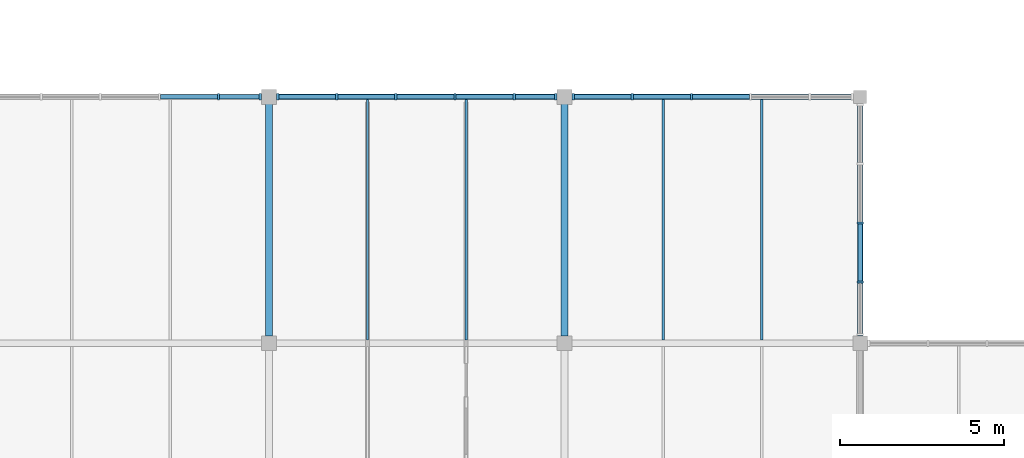
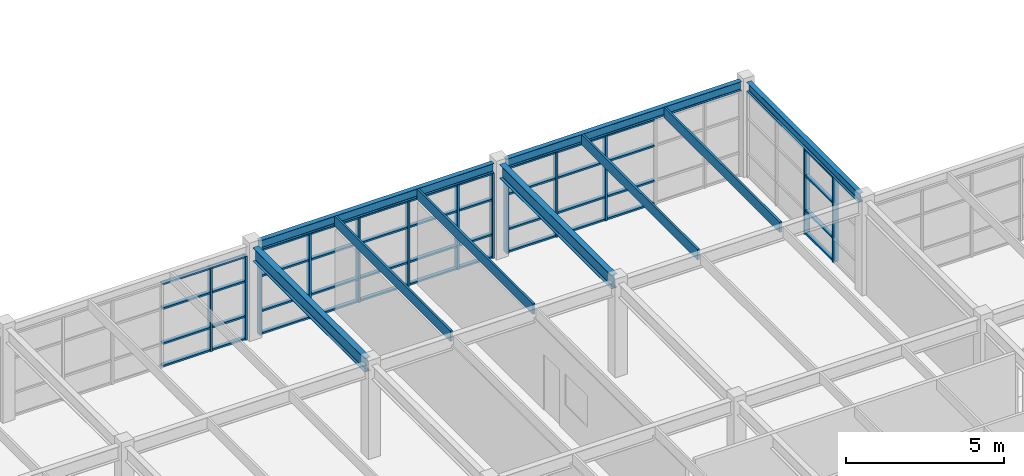
# One storey, part 12 of 81: 57 members, 9 beams, 4 elements without a shape of their own.
"""IFC4 building model written with IfcOpenShell, lengths in metres."""

from ifc_helpers import new_model, si_unit, direction, frame, origin, origin_2d, place, context, subcontext, project, spatial, rectangle, i_section, extrude, material, layer, layer_set, material_profile, profile_set, type_object, element, aggregate, save


model = new_model("IFC4")

# Units and contexts
model_context = context("Model", 3, precision=1e-05, world=origin(), true_north=direction((0.0, 1.0)))
body_context = subcontext(model_context, "Body", "Model", "MODEL_VIEW")
ifc_project = project(units=[si_unit("LENGTHUNIT", "METRE"), si_unit("AREAUNIT", "SQUARE_METRE"), si_unit("VOLUMEUNIT", "CUBIC_METRE"), si_unit("PLANEANGLEUNIT", "RADIAN"), si_unit("MASSUNIT", "GRAM", prefix="KILO")], contexts=[model_context])

# Site, building, storey
site_placement = place(None, origin())
site = spatial("IfcSite", under=ifc_project, at=site_placement, CompositionType="ELEMENT")
building_placement = place(site_placement, origin())
building = spatial("IfcBuilding", under=site, at=building_placement, Name="Marnridge Secondary College", CompositionType="ELEMENT")
storey_placement = place(building_placement, frame((0.0, 0.0, 8.5)))
storey = spatial("IfcBuildingStorey", under=building, at=storey_placement, Name="L02", CompositionType="ELEMENT", Elevation=8.5)

# Beams
ifc_material_1 = material(Name="Engineered timber LVL E13.2", Category="wood")
ifc_material_profile_1 = material_profile(ifc_material_1, rectangle(XDim=0.074951171875, YDim=0.39990234375, at=origin_2d()), Name="LVL 75x400")
ifc_profile_set_1 = profile_set([ifc_material_profile_1], Name="Engineered timber LVL E13.2")
beam_type_1 = type_object("IfcBeamType", Name="BM-LVL400-INT", PredefinedType="JOIST", material=ifc_profile_set_1)
for number, where, z_axis, x_axis, name in (
    (1, (21.0, 30.0986328125, 3.43994140625), (0.0, 1.0, 0.0), (-1.0, 0.0, 0.0), "Beam BJ-L02-1038"),
    (2, (24.0, 30.0986328125, 3.43994140625), (0.0, 1.0, 0.0), (-1.0, 0.0, 0.0), "Beam BJ-L02-1039"),
    (3, (30.0, 30.0986328125, 3.43994140625), (0.0, 1.0, 0.0), (-1.0, 0.0, 0.0), "Beam BJ-L02-1040"),
    (4, (33.0, 30.0986328125, 3.43994140625), (0.0, 1.0, 0.0), (-1.0, 0.0, 0.0), "Beam BJ-L02-1041"),
):
    element("IfcBeam", number, at=place(storey_placement, frame(where, z_axis=z_axis, x_axis=x_axis)), inside=storey, type_object=beam_type_1, Name=name, PredefinedType="JOIST", context=body_context, shape_type="SweptSolid", body=[
        extrude(rectangle(XDim=0.074951171875, YDim=0.39990234375, at=origin_2d()), origin(), (0.0, 0.0, 1.0), 7.32177734375),
    ])
ifc_material_2 = material(Name="Structural steel Grade 350 (AS/NZS 3679.1/.2, fy = 340-360 MPa)", Category="steel")
ifc_material_profile_2 = material_profile(ifc_material_2, i_section(OverallWidth=0.1708984375, OverallDepth=0.35205078125, WebThickness=0.0068359375, FlangeThickness=0.009765625, FilletRadius=0.011474609375, at=origin_2d()), Name="360UB44.7")
ifc_profile_set_2 = profile_set([ifc_material_profile_2], Name="Structural steel Grade 350 (AS/NZS 3679.1/.2, fy = 340-360 MPa)")
beam_type_2 = type_object("IfcBeamType", Name="BM-UB360-EXT", PredefinedType="SPANDREL", material=ifc_profile_set_2)
beam_1_placement = place(storey_placement, frame((18.218994140625, 37.5, 3.464111328125), z_axis=(1.0, 0.0, 0.0), x_axis=(0.0, 1.0, 0.0)))
element("IfcBeam", 5, at=beam_1_placement, inside=storey, type_object=beam_type_2, Name="Beam BS-L02-0995", PredefinedType="SPANDREL", context=body_context, shape_type="SweptSolid", body=[
    extrude(i_section(OverallWidth=0.1708984375, OverallDepth=0.35205078125, WebThickness=0.0068359375, FlangeThickness=0.009765625, FilletRadius=0.011474609375, at=origin_2d()), origin(), (0.0, 0.0, 1.0), 8.56201171875),
])
beam_2_placement = place(storey_placement, frame((27.218994140625, 37.5, 3.464111328125), z_axis=(1.0, 0.0, 0.0), x_axis=(0.0, 1.0, 0.0)))
element("IfcBeam", 6, at=beam_2_placement, inside=storey, type_object=beam_type_2, Name="Beam BS-L02-0997", PredefinedType="SPANDREL", context=body_context, shape_type="SweptSolid", body=[
    extrude(i_section(OverallWidth=0.1708984375, OverallDepth=0.35205078125, WebThickness=0.0068359375, FlangeThickness=0.009765625, FilletRadius=0.011474609375, at=origin_2d()), origin(), (0.0, 0.0, 1.0), 8.5869140625),
])
beam_3_placement = place(storey_placement, frame((36.0, 30.218994140625, 3.464111328125), z_axis=(0.0, 1.0, 0.0), x_axis=(-1.0, 0.0, 0.0)))
element("IfcBeam", 7, at=beam_3_placement, inside=storey, type_object=beam_type_2, Name="Beam BS-L02-0998", PredefinedType="SPANDREL", context=body_context, shape_type="SweptSolid", body=[
    extrude(i_section(OverallWidth=0.1708984375, OverallDepth=0.35205078125, WebThickness=0.0068359375, FlangeThickness=0.009765625, FilletRadius=0.011474609375, at=origin_2d()), origin(), (0.0, 0.0, 1.0), 7.0869140625),
])
ifc_material_3 = material(Name="Structural steel Grade 350 (AS/NZS 3679.1/.2, fy = 340-360 MPa)", Category="steel")
ifc_material_profile_3 = material_profile(ifc_material_3, i_section(OverallWidth=0.209228515625, OverallDepth=0.532958984375, WebThickness=0.01025390625, FlangeThickness=0.015625, FilletRadius=0.013916015625, at=origin_2d()), Name="530UB92.4")
ifc_profile_set_3 = profile_set([ifc_material_profile_3], Name="Structural steel Grade 350 (AS/NZS 3679.1/.2, fy = 340-360 MPa)")
beam_type_3 = type_object("IfcBeamType", Name="BM-UB530A-INT", PredefinedType="BEAM", material=ifc_profile_set_3)
for number, where, z_axis, x_axis, name in (
    (8, (18.0, 30.218994140625, 3.323486328125), (0.0, 1.0, 0.0), (-1.0, 0.0, 0.0), "Beam B-L02-0994"),
    (9, (27.0, 30.218994140625, 3.37353515625), (0.0, 1.0, 0.0), (-1.0, 0.0, 0.0), "Beam B-L02-0996"),
):
    element("IfcBeam", number, at=place(storey_placement, frame(where, z_axis=z_axis, x_axis=x_axis)), inside=storey, type_object=beam_type_3, Name=name, PredefinedType="BEAM", context=body_context, shape_type="SweptSolid", body=[
        extrude(i_section(OverallWidth=0.209228515625, OverallDepth=0.532958984375, WebThickness=0.01025390625, FlangeThickness=0.015625, FilletRadius=0.013916015625, at=origin_2d()), origin(), (0.0, 0.0, 1.0), 7.06201171875),
    ])

# Curtain wall, members
ifc_material_4 = material(Name="Bronze-anodised aluminium and solar-control glazing", Category="aluminium")
ifc_layer = layer(ifc_material_4, 0.199951171875)
ifc_layer_set = layer_set([ifc_layer], Name="CW-MOD-1800")
curtain_wall_type = type_object("IfcCurtainWallType", Name="CW-MOD-1800", PredefinedType="NOTDEFINED", material=ifc_layer_set)
curtain_wall_1_placement = place(storey_placement, origin())
curtain_wall_1 = element("IfcCurtainWall", 10, at=curtain_wall_1_placement, inside=storey, type_object=curtain_wall_type, Name="Unitised curtain wall CW-L02-101", PredefinedType="NOTDEFINED")
ifc_material_5 = material(Name="Bronze-anodised aluminium 6063-T6", Category="aluminium")
ifc_material_profile_4 = material_profile(ifc_material_5, rectangle(XDim=0.070068359375, YDim=0.199951171875, at=origin_2d()), Name="ALU 70x200")
ifc_profile_set_4 = profile_set([ifc_material_profile_4], Name="Bronze-anodised aluminium 6063-T6")
member_type_1 = type_object("IfcMemberType", Name="CWM-ALU200", PredefinedType="MULLION", material=ifc_profile_set_4)
member_1_placement = place(storey_placement, frame((16.464111328125, 37.5, 0.0), z_axis=(0.0, 0.0, 1.0), x_axis=(1.0, 0.0, 0.0)))
member_1 = element("IfcMember", 11, at=member_1_placement, type_object=member_type_1, Name="CW-L02-101 mullion 5", PredefinedType="MULLION", context=body_context, shape_type="SweptSolid", body=[
    extrude(rectangle(XDim=0.070068359375, YDim=0.199951171875, at=origin_2d()), origin(), (0.0, 0.0, 1.0), 3.22998046875),
])
member_2_placement = place(storey_placement, frame((17.736083984375, 37.5, 0.0), z_axis=(0.0, 0.0, 1.0), x_axis=(1.0, 0.0, 0.0)))
member_2 = element("IfcMember", 12, at=member_2_placement, type_object=member_type_1, Name="CW-L02-101 mullion 6", PredefinedType="MULLION", context=body_context, shape_type="SweptSolid", body=[
    extrude(rectangle(XDim=0.070068359375, YDim=0.199951171875, at=origin_2d()), origin(), (0.0, 0.0, 1.0), 3.22998046875),
])

curtain_wall_2_placement = place(storey_placement, origin())
curtain_wall_2 = element("IfcCurtainWall", 13, at=curtain_wall_2_placement, inside=storey, type_object=curtain_wall_type, Name="Unitised curtain wall CW-L02-102", PredefinedType="NOTDEFINED")
member_3_placement = place(storey_placement, frame((18.263916015625, 37.5, 0.0), z_axis=(0.0, 0.0, 1.0), x_axis=(1.0, 0.0, 0.0)))
member_3 = element("IfcMember", 14, at=member_3_placement, type_object=member_type_1, Name="CW-L02-102 mullion 1", PredefinedType="MULLION", context=body_context, shape_type="SweptSolid", body=[
    extrude(rectangle(XDim=0.070068359375, YDim=0.199951171875, at=origin_2d()), origin(), (0.0, 0.0, 1.0), 3.280029296875),
])
member_4_placement = place(storey_placement, frame((20.06396484375, 37.5, 0.0), z_axis=(0.0, 0.0, 1.0), x_axis=(1.0, 0.0, 0.0)))
member_4 = element("IfcMember", 15, at=member_4_placement, type_object=member_type_1, Name="CW-L02-102 mullion 2", PredefinedType="MULLION", context=body_context, shape_type="SweptSolid", body=[
    extrude(rectangle(XDim=0.070068359375, YDim=0.199951171875, at=origin_2d()), origin(), (0.0, 0.0, 1.0), 3.280029296875),
])
member_5_placement = place(storey_placement, frame((21.864013671875, 37.5, 0.0), z_axis=(0.0, 0.0, 1.0), x_axis=(1.0, 0.0, 0.0)))
member_5 = element("IfcMember", 16, at=member_5_placement, type_object=member_type_1, Name="CW-L02-102 mullion 3", PredefinedType="MULLION", context=body_context, shape_type="SweptSolid", body=[
    extrude(rectangle(XDim=0.070068359375, YDim=0.199951171875, at=origin_2d()), origin(), (0.0, 0.0, 1.0), 3.280029296875),
])
member_6_placement = place(storey_placement, frame((23.6640625, 37.5, 0.0), z_axis=(0.0, 0.0, 1.0), x_axis=(1.0, 0.0, 0.0)))
member_6 = element("IfcMember", 17, at=member_6_placement, type_object=member_type_1, Name="CW-L02-102 mullion 4", PredefinedType="MULLION", context=body_context, shape_type="SweptSolid", body=[
    extrude(rectangle(XDim=0.070068359375, YDim=0.199951171875, at=origin_2d()), origin(), (0.0, 0.0, 1.0), 3.280029296875),
])
member_7_placement = place(storey_placement, frame((25.464111328125, 37.5, 0.0), z_axis=(0.0, 0.0, 1.0), x_axis=(1.0, 0.0, 0.0)))
member_7 = element("IfcMember", 18, at=member_7_placement, type_object=member_type_1, Name="CW-L02-102 mullion 5", PredefinedType="MULLION", context=body_context, shape_type="SweptSolid", body=[
    extrude(rectangle(XDim=0.070068359375, YDim=0.199951171875, at=origin_2d()), origin(), (0.0, 0.0, 1.0), 3.280029296875),
])
member_8_placement = place(storey_placement, frame((26.736083984375, 37.5, 0.0), z_axis=(0.0, 0.0, 1.0), x_axis=(1.0, 0.0, 0.0)))
member_8 = element("IfcMember", 19, at=member_8_placement, type_object=member_type_1, Name="CW-L02-102 mullion 6", PredefinedType="MULLION", context=body_context, shape_type="SweptSolid", body=[
    extrude(rectangle(XDim=0.070068359375, YDim=0.199951171875, at=origin_2d()), origin(), (0.0, 0.0, 1.0), 3.280029296875),
])

curtain_wall_3_placement = place(storey_placement, origin())
curtain_wall_3 = element("IfcCurtainWall", 20, at=curtain_wall_3_placement, inside=storey, type_object=curtain_wall_type, Name="Unitised curtain wall CW-L02-103", PredefinedType="NOTDEFINED")
member_9_placement = place(storey_placement, frame((27.263916015625, 37.5, 0.0), z_axis=(0.0, 0.0, 1.0), x_axis=(1.0, 0.0, 0.0)))
member_9 = element("IfcMember", 21, at=member_9_placement, type_object=member_type_1, Name="CW-L02-103 mullion 1", PredefinedType="MULLION", context=body_context, shape_type="SweptSolid", body=[
    extrude(rectangle(XDim=0.070068359375, YDim=0.199951171875, at=origin_2d()), origin(), (0.0, 0.0, 1.0), 3.280029296875),
])
member_10_placement = place(storey_placement, frame((29.06396484375, 37.5, 0.0), z_axis=(0.0, 0.0, 1.0), x_axis=(1.0, 0.0, 0.0)))
member_10 = element("IfcMember", 22, at=member_10_placement, type_object=member_type_1, Name="CW-L02-103 mullion 2", PredefinedType="MULLION", context=body_context, shape_type="SweptSolid", body=[
    extrude(rectangle(XDim=0.070068359375, YDim=0.199951171875, at=origin_2d()), origin(), (0.0, 0.0, 1.0), 3.280029296875),
])
member_11_placement = place(storey_placement, frame((30.864013671875, 37.5, 0.0), z_axis=(0.0, 0.0, 1.0), x_axis=(1.0, 0.0, 0.0)))
member_11 = element("IfcMember", 23, at=member_11_placement, type_object=member_type_1, Name="CW-L02-103 mullion 3", PredefinedType="MULLION", context=body_context, shape_type="SweptSolid", body=[
    extrude(rectangle(XDim=0.070068359375, YDim=0.199951171875, at=origin_2d()), origin(), (0.0, 0.0, 1.0), 3.280029296875),
])

curtain_wall_4_placement = place(storey_placement, origin())
curtain_wall_4 = element("IfcCurtainWall", 24, at=curtain_wall_4_placement, inside=storey, type_object=curtain_wall_type, Name="Unitised curtain wall CW-L02-104", PredefinedType="NOTDEFINED")
member_12_placement = place(storey_placement, frame((36.0, 33.660888671875, 0.0), z_axis=(0.0, 0.0, 1.0), x_axis=(0.0, -1.0, 0.0)))
member_12 = element("IfcMember", 25, at=member_12_placement, type_object=member_type_1, Name="CW-L02-104 mullion 3", PredefinedType="MULLION", context=body_context, shape_type="SweptSolid", body=[
    extrude(rectangle(XDim=0.070068359375, YDim=0.199951171875, at=origin_2d()), origin(), (0.0, 0.0, 1.0), 3.280029296875),
])
member_13_placement = place(storey_placement, frame((36.0, 31.861083984375, 0.0), z_axis=(0.0, 0.0, 1.0), x_axis=(0.0, -1.0, 0.0)))
member_13 = element("IfcMember", 26, at=member_13_placement, type_object=member_type_1, Name="CW-L02-104 mullion 4", PredefinedType="MULLION", context=body_context, shape_type="SweptSolid", body=[
    extrude(rectangle(XDim=0.070068359375, YDim=0.199951171875, at=origin_2d()), origin(), (0.0, 0.0, 1.0), 3.280029296875),
])

# Member
ifc_material_6 = material(Name="Anodised aluminium 6063-T6", Category="aluminium")
ifc_material_profile_5 = material_profile(ifc_material_6, rectangle(XDim=0.06494140625, YDim=0.139892578125, at=origin_2d()), Name="ALU 65x140")
ifc_profile_set_5 = profile_set([ifc_material_profile_5], Name="Anodised aluminium 6063-T6")
member_type_2 = type_object("IfcMemberType", Name="CWT-ALU140", PredefinedType="USERDEFINED", material=ifc_profile_set_5)
member_14_placement = place(storey_placement, frame((14.698974609375, 37.5, 0.032470703125), z_axis=(1.0, 0.0, 0.0), x_axis=(0.0, 0.0, 1.0)))
member_14 = element("IfcMember", 27, at=member_14_placement, type_object=member_type_2, Name="CW-L02-101 transom 4.1", ObjectType="TRANSOM", PredefinedType="USERDEFINED", context=body_context, shape_type="SweptSolid", body=[
    extrude(rectangle(XDim=0.06494140625, YDim=0.139892578125, at=origin_2d()), origin(), (0.0, 0.0, 1.0), 1.72998046875),
])

member_15_placement = place(storey_placement, frame((14.698974609375, 37.5, 0.89990234375), z_axis=(1.0, 0.0, 0.0), x_axis=(0.0, 0.0, 1.0)))
member_15 = element("IfcMember", 28, at=member_15_placement, type_object=member_type_2, Name="CW-L02-101 transom 4.2", ObjectType="TRANSOM", PredefinedType="USERDEFINED", context=body_context, shape_type="SweptSolid", body=[
    extrude(rectangle(XDim=0.06494140625, YDim=0.139892578125, at=origin_2d()), origin(), (0.0, 0.0, 1.0), 1.72998046875),
])

member_16_placement = place(storey_placement, frame((14.698974609375, 37.5, 2.25), z_axis=(1.0, 0.0, 0.0), x_axis=(0.0, 0.0, 1.0)))
member_16 = element("IfcMember", 29, at=member_16_placement, type_object=member_type_2, Name="CW-L02-101 transom 4.3", ObjectType="TRANSOM", PredefinedType="USERDEFINED", context=body_context, shape_type="SweptSolid", body=[
    extrude(rectangle(XDim=0.06494140625, YDim=0.139892578125, at=origin_2d()), origin(), (0.0, 0.0, 1.0), 1.72998046875),
])

member_17_placement = place(storey_placement, frame((14.698974609375, 37.5, 3.197509765625), z_axis=(1.0, 0.0, 0.0), x_axis=(0.0, 0.0, 1.0)))
member_17 = element("IfcMember", 30, at=member_17_placement, type_object=member_type_2, Name="CW-L02-101 transom 4.4", ObjectType="TRANSOM", PredefinedType="USERDEFINED", context=body_context, shape_type="SweptSolid", body=[
    extrude(rectangle(XDim=0.06494140625, YDim=0.139892578125, at=origin_2d()), origin(), (0.0, 0.0, 1.0), 1.72998046875),
])

member_18_placement = place(storey_placement, frame((16.4990234375, 37.5, 0.032470703125), z_axis=(1.0, 0.0, 0.0), x_axis=(0.0, 0.0, 1.0)))
member_18 = element("IfcMember", 31, at=member_18_placement, type_object=member_type_2, Name="CW-L02-101 transom 5.1", ObjectType="TRANSOM", PredefinedType="USERDEFINED", context=body_context, shape_type="SweptSolid", body=[
    extrude(rectangle(XDim=0.06494140625, YDim=0.139892578125, at=origin_2d()), origin(), (0.0, 0.0, 1.0), 1.201904296875),
])

member_19_placement = place(storey_placement, frame((16.4990234375, 37.5, 0.89990234375), z_axis=(1.0, 0.0, 0.0), x_axis=(0.0, 0.0, 1.0)))
member_19 = element("IfcMember", 32, at=member_19_placement, type_object=member_type_2, Name="CW-L02-101 transom 5.2", ObjectType="TRANSOM", PredefinedType="USERDEFINED", context=body_context, shape_type="SweptSolid", body=[
    extrude(rectangle(XDim=0.06494140625, YDim=0.139892578125, at=origin_2d()), origin(), (0.0, 0.0, 1.0), 1.201904296875),
])

member_20_placement = place(storey_placement, frame((16.4990234375, 37.5, 2.25), z_axis=(1.0, 0.0, 0.0), x_axis=(0.0, 0.0, 1.0)))
member_20 = element("IfcMember", 33, at=member_20_placement, type_object=member_type_2, Name="CW-L02-101 transom 5.3", ObjectType="TRANSOM", PredefinedType="USERDEFINED", context=body_context, shape_type="SweptSolid", body=[
    extrude(rectangle(XDim=0.06494140625, YDim=0.139892578125, at=origin_2d()), origin(), (0.0, 0.0, 1.0), 1.201904296875),
])

member_21_placement = place(storey_placement, frame((16.4990234375, 37.5, 3.197509765625), z_axis=(1.0, 0.0, 0.0), x_axis=(0.0, 0.0, 1.0)))
member_21 = element("IfcMember", 34, at=member_21_placement, type_object=member_type_2, Name="CW-L02-101 transom 5.4", ObjectType="TRANSOM", PredefinedType="USERDEFINED", context=body_context, shape_type="SweptSolid", body=[
    extrude(rectangle(XDim=0.06494140625, YDim=0.139892578125, at=origin_2d()), origin(), (0.0, 0.0, 1.0), 1.201904296875),
])

aggregate(curtain_wall_1, [member_1, member_2, member_14, member_15, member_16, member_17, member_18, member_19, member_20, member_21])

member_22_placement = place(storey_placement, frame((18.299072265625, 37.5, 0.032470703125), z_axis=(1.0, 0.0, 0.0), x_axis=(0.0, 0.0, 1.0)))
member_22 = element("IfcMember", 35, at=member_22_placement, type_object=member_type_2, Name="CW-L02-102 transom 1.1", ObjectType="TRANSOM", PredefinedType="USERDEFINED", context=body_context, shape_type="SweptSolid", body=[
    extrude(rectangle(XDim=0.06494140625, YDim=0.139892578125, at=origin_2d()), origin(), (0.0, 0.0, 1.0), 1.72998046875),
])

member_23_placement = place(storey_placement, frame((18.299072265625, 37.5, 0.89990234375), z_axis=(1.0, 0.0, 0.0), x_axis=(0.0, 0.0, 1.0)))
member_23 = element("IfcMember", 36, at=member_23_placement, type_object=member_type_2, Name="CW-L02-102 transom 1.2", ObjectType="TRANSOM", PredefinedType="USERDEFINED", context=body_context, shape_type="SweptSolid", body=[
    extrude(rectangle(XDim=0.06494140625, YDim=0.139892578125, at=origin_2d()), origin(), (0.0, 0.0, 1.0), 1.72998046875),
])

member_24_placement = place(storey_placement, frame((18.299072265625, 37.5, 2.25), z_axis=(1.0, 0.0, 0.0), x_axis=(0.0, 0.0, 1.0)))
member_24 = element("IfcMember", 37, at=member_24_placement, type_object=member_type_2, Name="CW-L02-102 transom 1.3", ObjectType="TRANSOM", PredefinedType="USERDEFINED", context=body_context, shape_type="SweptSolid", body=[
    extrude(rectangle(XDim=0.06494140625, YDim=0.139892578125, at=origin_2d()), origin(), (0.0, 0.0, 1.0), 1.72998046875),
])

member_25_placement = place(storey_placement, frame((18.299072265625, 37.5, 3.24755859375), z_axis=(1.0, 0.0, 0.0), x_axis=(0.0, 0.0, 1.0)))
member_25 = element("IfcMember", 38, at=member_25_placement, type_object=member_type_2, Name="CW-L02-102 transom 1.4", ObjectType="TRANSOM", PredefinedType="USERDEFINED", context=body_context, shape_type="SweptSolid", body=[
    extrude(rectangle(XDim=0.06494140625, YDim=0.139892578125, at=origin_2d()), origin(), (0.0, 0.0, 1.0), 1.72998046875),
])

member_26_placement = place(storey_placement, frame((20.09912109375, 37.5, 0.032470703125), z_axis=(1.0, 0.0, 0.0), x_axis=(0.0, 0.0, 1.0)))
member_26 = element("IfcMember", 39, at=member_26_placement, type_object=member_type_2, Name="CW-L02-102 transom 2.1", ObjectType="TRANSOM", PredefinedType="USERDEFINED", context=body_context, shape_type="SweptSolid", body=[
    extrude(rectangle(XDim=0.06494140625, YDim=0.139892578125, at=origin_2d()), origin(), (0.0, 0.0, 1.0), 1.72998046875),
])

member_27_placement = place(storey_placement, frame((20.09912109375, 37.5, 0.89990234375), z_axis=(1.0, 0.0, 0.0), x_axis=(0.0, 0.0, 1.0)))
member_27 = element("IfcMember", 40, at=member_27_placement, type_object=member_type_2, Name="CW-L02-102 transom 2.2", ObjectType="TRANSOM", PredefinedType="USERDEFINED", context=body_context, shape_type="SweptSolid", body=[
    extrude(rectangle(XDim=0.06494140625, YDim=0.139892578125, at=origin_2d()), origin(), (0.0, 0.0, 1.0), 1.72998046875),
])

member_28_placement = place(storey_placement, frame((20.09912109375, 37.5, 2.25), z_axis=(1.0, 0.0, 0.0), x_axis=(0.0, 0.0, 1.0)))
member_28 = element("IfcMember", 41, at=member_28_placement, type_object=member_type_2, Name="CW-L02-102 transom 2.3", ObjectType="TRANSOM", PredefinedType="USERDEFINED", context=body_context, shape_type="SweptSolid", body=[
    extrude(rectangle(XDim=0.06494140625, YDim=0.139892578125, at=origin_2d()), origin(), (0.0, 0.0, 1.0), 1.72998046875),
])

member_29_placement = place(storey_placement, frame((20.09912109375, 37.5, 3.24755859375), z_axis=(1.0, 0.0, 0.0), x_axis=(0.0, 0.0, 1.0)))
member_29 = element("IfcMember", 42, at=member_29_placement, type_object=member_type_2, Name="CW-L02-102 transom 2.4", ObjectType="TRANSOM", PredefinedType="USERDEFINED", context=body_context, shape_type="SweptSolid", body=[
    extrude(rectangle(XDim=0.06494140625, YDim=0.139892578125, at=origin_2d()), origin(), (0.0, 0.0, 1.0), 1.72998046875),
])

member_30_placement = place(storey_placement, frame((21.89892578125, 37.5, 0.032470703125), z_axis=(1.0, 0.0, 0.0), x_axis=(0.0, 0.0, 1.0)))
member_30 = element("IfcMember", 43, at=member_30_placement, type_object=member_type_2, Name="CW-L02-102 transom 3.1", ObjectType="TRANSOM", PredefinedType="USERDEFINED", context=body_context, shape_type="SweptSolid", body=[
    extrude(rectangle(XDim=0.06494140625, YDim=0.139892578125, at=origin_2d()), origin(), (0.0, 0.0, 1.0), 1.72998046875),
])

member_31_placement = place(storey_placement, frame((21.89892578125, 37.5, 0.89990234375), z_axis=(1.0, 0.0, 0.0), x_axis=(0.0, 0.0, 1.0)))
member_31 = element("IfcMember", 44, at=member_31_placement, type_object=member_type_2, Name="CW-L02-102 transom 3.2", ObjectType="TRANSOM", PredefinedType="USERDEFINED", context=body_context, shape_type="SweptSolid", body=[
    extrude(rectangle(XDim=0.06494140625, YDim=0.139892578125, at=origin_2d()), origin(), (0.0, 0.0, 1.0), 1.72998046875),
])

member_32_placement = place(storey_placement, frame((21.89892578125, 37.5, 2.25), z_axis=(1.0, 0.0, 0.0), x_axis=(0.0, 0.0, 1.0)))
member_32 = element("IfcMember", 45, at=member_32_placement, type_object=member_type_2, Name="CW-L02-102 transom 3.3", ObjectType="TRANSOM", PredefinedType="USERDEFINED", context=body_context, shape_type="SweptSolid", body=[
    extrude(rectangle(XDim=0.06494140625, YDim=0.139892578125, at=origin_2d()), origin(), (0.0, 0.0, 1.0), 1.72998046875),
])

member_33_placement = place(storey_placement, frame((21.89892578125, 37.5, 3.24755859375), z_axis=(1.0, 0.0, 0.0), x_axis=(0.0, 0.0, 1.0)))
member_33 = element("IfcMember", 46, at=member_33_placement, type_object=member_type_2, Name="CW-L02-102 transom 3.4", ObjectType="TRANSOM", PredefinedType="USERDEFINED", context=body_context, shape_type="SweptSolid", body=[
    extrude(rectangle(XDim=0.06494140625, YDim=0.139892578125, at=origin_2d()), origin(), (0.0, 0.0, 1.0), 1.72998046875),
])

member_34_placement = place(storey_placement, frame((23.698974609375, 37.5, 0.032470703125), z_axis=(1.0, 0.0, 0.0), x_axis=(0.0, 0.0, 1.0)))
member_34 = element("IfcMember", 47, at=member_34_placement, type_object=member_type_2, Name="CW-L02-102 transom 4.1", ObjectType="TRANSOM", PredefinedType="USERDEFINED", context=body_context, shape_type="SweptSolid", body=[
    extrude(rectangle(XDim=0.06494140625, YDim=0.139892578125, at=origin_2d()), origin(), (0.0, 0.0, 1.0), 1.72998046875),
])

member_35_placement = place(storey_placement, frame((23.698974609375, 37.5, 0.89990234375), z_axis=(1.0, 0.0, 0.0), x_axis=(0.0, 0.0, 1.0)))
member_35 = element("IfcMember", 48, at=member_35_placement, type_object=member_type_2, Name="CW-L02-102 transom 4.2", ObjectType="TRANSOM", PredefinedType="USERDEFINED", context=body_context, shape_type="SweptSolid", body=[
    extrude(rectangle(XDim=0.06494140625, YDim=0.139892578125, at=origin_2d()), origin(), (0.0, 0.0, 1.0), 1.72998046875),
])

member_36_placement = place(storey_placement, frame((23.698974609375, 37.5, 2.25), z_axis=(1.0, 0.0, 0.0), x_axis=(0.0, 0.0, 1.0)))
member_36 = element("IfcMember", 49, at=member_36_placement, type_object=member_type_2, Name="CW-L02-102 transom 4.3", ObjectType="TRANSOM", PredefinedType="USERDEFINED", context=body_context, shape_type="SweptSolid", body=[
    extrude(rectangle(XDim=0.06494140625, YDim=0.139892578125, at=origin_2d()), origin(), (0.0, 0.0, 1.0), 1.72998046875),
])

member_37_placement = place(storey_placement, frame((23.698974609375, 37.5, 3.24755859375), z_axis=(1.0, 0.0, 0.0), x_axis=(0.0, 0.0, 1.0)))
member_37 = element("IfcMember", 50, at=member_37_placement, type_object=member_type_2, Name="CW-L02-102 transom 4.4", ObjectType="TRANSOM", PredefinedType="USERDEFINED", context=body_context, shape_type="SweptSolid", body=[
    extrude(rectangle(XDim=0.06494140625, YDim=0.139892578125, at=origin_2d()), origin(), (0.0, 0.0, 1.0), 1.72998046875),
])

member_38_placement = place(storey_placement, frame((25.4990234375, 37.5, 0.032470703125), z_axis=(1.0, 0.0, 0.0), x_axis=(0.0, 0.0, 1.0)))
member_38 = element("IfcMember", 51, at=member_38_placement, type_object=member_type_2, Name="CW-L02-102 transom 5.1", ObjectType="TRANSOM", PredefinedType="USERDEFINED", context=body_context, shape_type="SweptSolid", body=[
    extrude(rectangle(XDim=0.06494140625, YDim=0.139892578125, at=origin_2d()), origin(), (0.0, 0.0, 1.0), 1.201904296875),
])

member_39_placement = place(storey_placement, frame((25.4990234375, 37.5, 0.89990234375), z_axis=(1.0, 0.0, 0.0), x_axis=(0.0, 0.0, 1.0)))
member_39 = element("IfcMember", 52, at=member_39_placement, type_object=member_type_2, Name="CW-L02-102 transom 5.2", ObjectType="TRANSOM", PredefinedType="USERDEFINED", context=body_context, shape_type="SweptSolid", body=[
    extrude(rectangle(XDim=0.06494140625, YDim=0.139892578125, at=origin_2d()), origin(), (0.0, 0.0, 1.0), 1.201904296875),
])

member_40_placement = place(storey_placement, frame((25.4990234375, 37.5, 2.25), z_axis=(1.0, 0.0, 0.0), x_axis=(0.0, 0.0, 1.0)))
member_40 = element("IfcMember", 53, at=member_40_placement, type_object=member_type_2, Name="CW-L02-102 transom 5.3", ObjectType="TRANSOM", PredefinedType="USERDEFINED", context=body_context, shape_type="SweptSolid", body=[
    extrude(rectangle(XDim=0.06494140625, YDim=0.139892578125, at=origin_2d()), origin(), (0.0, 0.0, 1.0), 1.201904296875),
])

member_41_placement = place(storey_placement, frame((25.4990234375, 37.5, 3.24755859375), z_axis=(1.0, 0.0, 0.0), x_axis=(0.0, 0.0, 1.0)))
member_41 = element("IfcMember", 54, at=member_41_placement, type_object=member_type_2, Name="CW-L02-102 transom 5.4", ObjectType="TRANSOM", PredefinedType="USERDEFINED", context=body_context, shape_type="SweptSolid", body=[
    extrude(rectangle(XDim=0.06494140625, YDim=0.139892578125, at=origin_2d()), origin(), (0.0, 0.0, 1.0), 1.201904296875),
])

aggregate(curtain_wall_2, [member_3, member_4, member_5, member_6, member_7, member_8, member_22, member_23, member_24, member_25, member_26, member_27, member_28, member_29, member_30, member_31, member_32, member_33, member_34, member_35, member_36, member_37, member_38, member_39, member_40, member_41])

member_42_placement = place(storey_placement, frame((27.299072265625, 37.5, 0.032470703125), z_axis=(1.0, 0.0, 0.0), x_axis=(0.0, 0.0, 1.0)))
member_42 = element("IfcMember", 55, at=member_42_placement, type_object=member_type_2, Name="CW-L02-103 transom 1.1", ObjectType="TRANSOM", PredefinedType="USERDEFINED", context=body_context, shape_type="SweptSolid", body=[
    extrude(rectangle(XDim=0.06494140625, YDim=0.139892578125, at=origin_2d()), origin(), (0.0, 0.0, 1.0), 1.72998046875),
])

member_43_placement = place(storey_placement, frame((27.299072265625, 37.5, 0.89990234375), z_axis=(1.0, 0.0, 0.0), x_axis=(0.0, 0.0, 1.0)))
member_43 = element("IfcMember", 56, at=member_43_placement, type_object=member_type_2, Name="CW-L02-103 transom 1.2", ObjectType="TRANSOM", PredefinedType="USERDEFINED", context=body_context, shape_type="SweptSolid", body=[
    extrude(rectangle(XDim=0.06494140625, YDim=0.139892578125, at=origin_2d()), origin(), (0.0, 0.0, 1.0), 1.72998046875),
])

member_44_placement = place(storey_placement, frame((27.299072265625, 37.5, 2.25), z_axis=(1.0, 0.0, 0.0), x_axis=(0.0, 0.0, 1.0)))
member_44 = element("IfcMember", 57, at=member_44_placement, type_object=member_type_2, Name="CW-L02-103 transom 1.3", ObjectType="TRANSOM", PredefinedType="USERDEFINED", context=body_context, shape_type="SweptSolid", body=[
    extrude(rectangle(XDim=0.06494140625, YDim=0.139892578125, at=origin_2d()), origin(), (0.0, 0.0, 1.0), 1.72998046875),
])

member_45_placement = place(storey_placement, frame((27.299072265625, 37.5, 3.24755859375), z_axis=(1.0, 0.0, 0.0), x_axis=(0.0, 0.0, 1.0)))
member_45 = element("IfcMember", 58, at=member_45_placement, type_object=member_type_2, Name="CW-L02-103 transom 1.4", ObjectType="TRANSOM", PredefinedType="USERDEFINED", context=body_context, shape_type="SweptSolid", body=[
    extrude(rectangle(XDim=0.06494140625, YDim=0.139892578125, at=origin_2d()), origin(), (0.0, 0.0, 1.0), 1.72998046875),
])

member_46_placement = place(storey_placement, frame((29.09912109375, 37.5, 0.032470703125), z_axis=(1.0, 0.0, 0.0), x_axis=(0.0, 0.0, 1.0)))
member_46 = element("IfcMember", 59, at=member_46_placement, type_object=member_type_2, Name="CW-L02-103 transom 2.1", ObjectType="TRANSOM", PredefinedType="USERDEFINED", context=body_context, shape_type="SweptSolid", body=[
    extrude(rectangle(XDim=0.06494140625, YDim=0.139892578125, at=origin_2d()), origin(), (0.0, 0.0, 1.0), 1.72998046875),
])

member_47_placement = place(storey_placement, frame((29.09912109375, 37.5, 0.89990234375), z_axis=(1.0, 0.0, 0.0), x_axis=(0.0, 0.0, 1.0)))
member_47 = element("IfcMember", 60, at=member_47_placement, type_object=member_type_2, Name="CW-L02-103 transom 2.2", ObjectType="TRANSOM", PredefinedType="USERDEFINED", context=body_context, shape_type="SweptSolid", body=[
    extrude(rectangle(XDim=0.06494140625, YDim=0.139892578125, at=origin_2d()), origin(), (0.0, 0.0, 1.0), 1.72998046875),
])

member_48_placement = place(storey_placement, frame((29.09912109375, 37.5, 2.25), z_axis=(1.0, 0.0, 0.0), x_axis=(0.0, 0.0, 1.0)))
member_48 = element("IfcMember", 61, at=member_48_placement, type_object=member_type_2, Name="CW-L02-103 transom 2.3", ObjectType="TRANSOM", PredefinedType="USERDEFINED", context=body_context, shape_type="SweptSolid", body=[
    extrude(rectangle(XDim=0.06494140625, YDim=0.139892578125, at=origin_2d()), origin(), (0.0, 0.0, 1.0), 1.72998046875),
])

member_49_placement = place(storey_placement, frame((29.09912109375, 37.5, 3.24755859375), z_axis=(1.0, 0.0, 0.0), x_axis=(0.0, 0.0, 1.0)))
member_49 = element("IfcMember", 62, at=member_49_placement, type_object=member_type_2, Name="CW-L02-103 transom 2.4", ObjectType="TRANSOM", PredefinedType="USERDEFINED", context=body_context, shape_type="SweptSolid", body=[
    extrude(rectangle(XDim=0.06494140625, YDim=0.139892578125, at=origin_2d()), origin(), (0.0, 0.0, 1.0), 1.72998046875),
])

member_50_placement = place(storey_placement, frame((30.89892578125, 37.5, 0.032470703125), z_axis=(1.0, 0.0, 0.0), x_axis=(0.0, 0.0, 1.0)))
member_50 = element("IfcMember", 63, at=member_50_placement, type_object=member_type_2, Name="CW-L02-103 transom 3.1", ObjectType="TRANSOM", PredefinedType="USERDEFINED", context=body_context, shape_type="SweptSolid", body=[
    extrude(rectangle(XDim=0.06494140625, YDim=0.139892578125, at=origin_2d()), origin(), (0.0, 0.0, 1.0), 1.72998046875),
])

member_51_placement = place(storey_placement, frame((30.89892578125, 37.5, 0.89990234375), z_axis=(1.0, 0.0, 0.0), x_axis=(0.0, 0.0, 1.0)))
member_51 = element("IfcMember", 64, at=member_51_placement, type_object=member_type_2, Name="CW-L02-103 transom 3.2", ObjectType="TRANSOM", PredefinedType="USERDEFINED", context=body_context, shape_type="SweptSolid", body=[
    extrude(rectangle(XDim=0.06494140625, YDim=0.139892578125, at=origin_2d()), origin(), (0.0, 0.0, 1.0), 1.72998046875),
])

member_52_placement = place(storey_placement, frame((30.89892578125, 37.5, 2.25), z_axis=(1.0, 0.0, 0.0), x_axis=(0.0, 0.0, 1.0)))
member_52 = element("IfcMember", 65, at=member_52_placement, type_object=member_type_2, Name="CW-L02-103 transom 3.3", ObjectType="TRANSOM", PredefinedType="USERDEFINED", context=body_context, shape_type="SweptSolid", body=[
    extrude(rectangle(XDim=0.06494140625, YDim=0.139892578125, at=origin_2d()), origin(), (0.0, 0.0, 1.0), 1.72998046875),
])

member_53_placement = place(storey_placement, frame((30.89892578125, 37.5, 3.24755859375), z_axis=(1.0, 0.0, 0.0), x_axis=(0.0, 0.0, 1.0)))
member_53 = element("IfcMember", 66, at=member_53_placement, type_object=member_type_2, Name="CW-L02-103 transom 3.4", ObjectType="TRANSOM", PredefinedType="USERDEFINED", context=body_context, shape_type="SweptSolid", body=[
    extrude(rectangle(XDim=0.06494140625, YDim=0.139892578125, at=origin_2d()), origin(), (0.0, 0.0, 1.0), 1.72998046875),
])

aggregate(curtain_wall_3, [member_9, member_10, member_11, member_42, member_43, member_44, member_45, member_46, member_47, member_48, member_49, member_50, member_51, member_52, member_53])

member_54_placement = place(storey_placement, frame((36.0, 33.6259765625, 0.032470703125), z_axis=(0.0, -1.0, 0.0), x_axis=(0.0, 0.0, 1.0)))
member_54 = element("IfcMember", 67, at=member_54_placement, type_object=member_type_2, Name="CW-L02-104 transom 3.1", ObjectType="TRANSOM", PredefinedType="USERDEFINED", context=body_context, shape_type="SweptSolid", body=[
    extrude(rectangle(XDim=0.06494140625, YDim=0.139892578125, at=origin_2d()), origin(), (0.0, 0.0, 1.0), 1.72998046875),
])

member_55_placement = place(storey_placement, frame((36.0, 33.6259765625, 0.89990234375), z_axis=(0.0, -1.0, 0.0), x_axis=(0.0, 0.0, 1.0)))
member_55 = element("IfcMember", 68, at=member_55_placement, type_object=member_type_2, Name="CW-L02-104 transom 3.2", ObjectType="TRANSOM", PredefinedType="USERDEFINED", context=body_context, shape_type="SweptSolid", body=[
    extrude(rectangle(XDim=0.06494140625, YDim=0.139892578125, at=origin_2d()), origin(), (0.0, 0.0, 1.0), 1.72998046875),
])

member_56_placement = place(storey_placement, frame((36.0, 33.6259765625, 2.25), z_axis=(0.0, -1.0, 0.0), x_axis=(0.0, 0.0, 1.0)))
member_56 = element("IfcMember", 69, at=member_56_placement, type_object=member_type_2, Name="CW-L02-104 transom 3.3", ObjectType="TRANSOM", PredefinedType="USERDEFINED", context=body_context, shape_type="SweptSolid", body=[
    extrude(rectangle(XDim=0.06494140625, YDim=0.139892578125, at=origin_2d()), origin(), (0.0, 0.0, 1.0), 1.72998046875),
])

member_57_placement = place(storey_placement, frame((36.0, 33.6259765625, 3.24755859375), z_axis=(0.0, -1.0, 0.0), x_axis=(0.0, 0.0, 1.0)))
member_57 = element("IfcMember", 70, at=member_57_placement, type_object=member_type_2, Name="CW-L02-104 transom 3.4", ObjectType="TRANSOM", PredefinedType="USERDEFINED", context=body_context, shape_type="SweptSolid", body=[
    extrude(rectangle(XDim=0.06494140625, YDim=0.139892578125, at=origin_2d()), origin(), (0.0, 0.0, 1.0), 1.72998046875),
])

aggregate(curtain_wall_4, [member_12, member_13, member_54, member_55, member_56, member_57])

save(model, "model.ifc")
